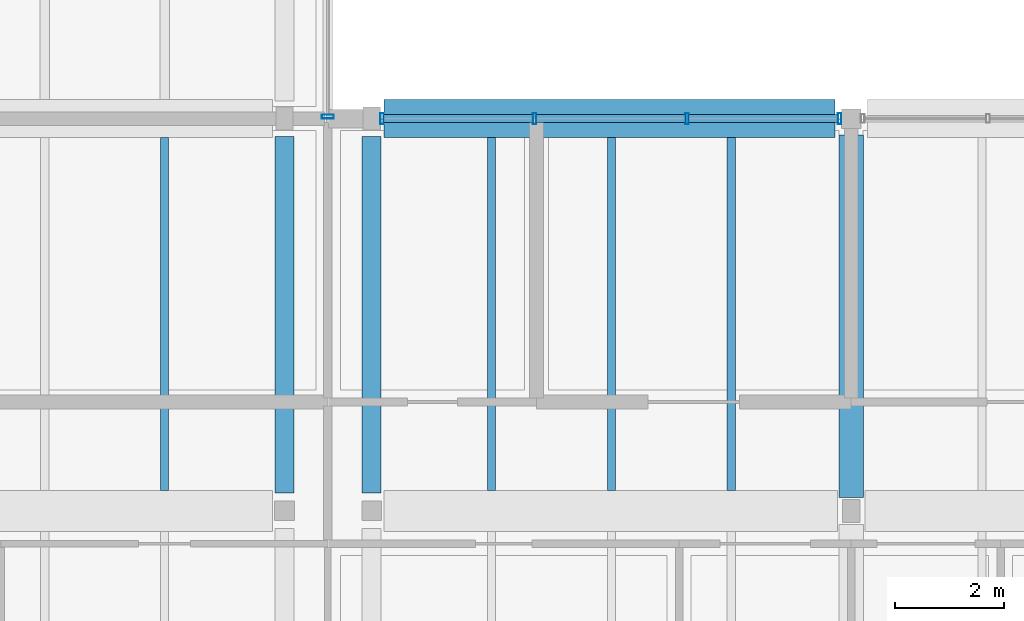
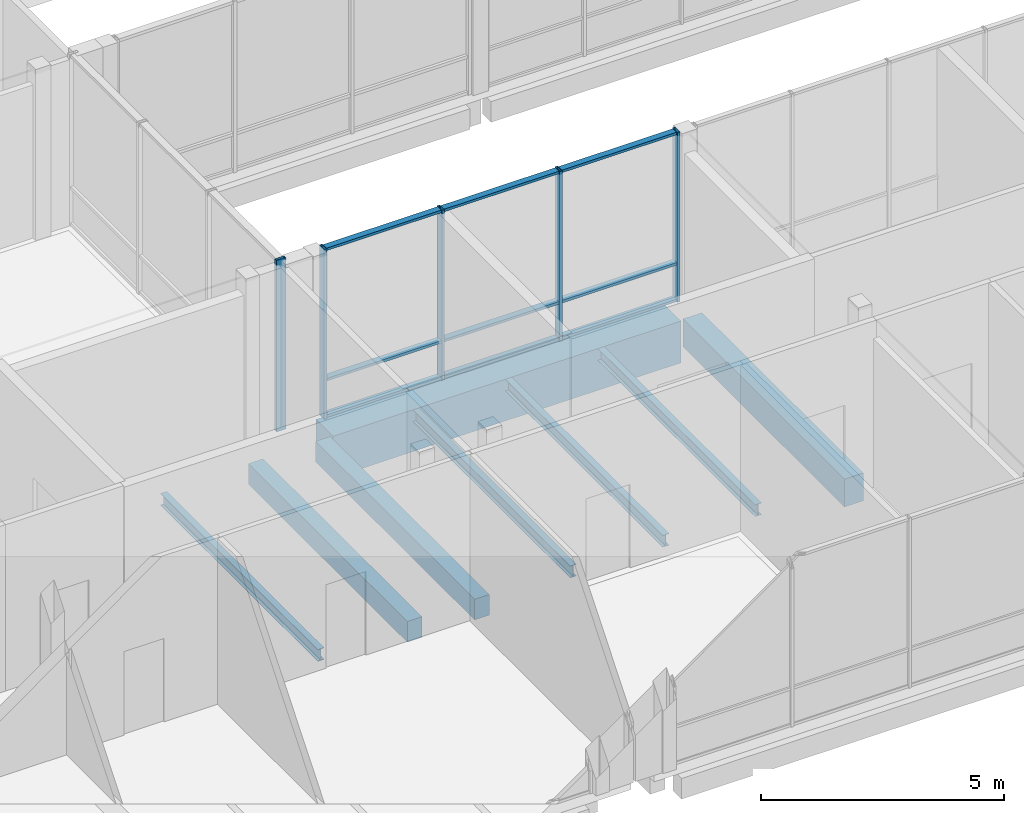
# One storey, part 58 of 146: 14 members, 8 beams, 2 elements without a shape of their own.
"""IFC4 building model written with IfcOpenShell, lengths in metres."""

from ifc_helpers import new_model, si_unit, direction, frame, origin, origin_2d, place, context, subcontext, project, spatial, rectangle, hollow_rectangle, i_section, extrude, material, material_profile, profile_set, type_object, element, aggregate, save


model = new_model("IFC4")

# Units and contexts
model_context = context("Model", 3, precision=1e-05, world=origin(), true_north=direction((0.0, 1.0)))
body_context = subcontext(model_context, "Body", "Model", "MODEL_VIEW")
ifc_project = project(units=[si_unit("LENGTHUNIT", "METRE"), si_unit("AREAUNIT", "SQUARE_METRE"), si_unit("VOLUMEUNIT", "CUBIC_METRE"), si_unit("PLANEANGLEUNIT", "RADIAN"), si_unit("MASSUNIT", "GRAM", prefix="KILO")], contexts=[model_context])

# Site, building, storey
site_placement = place(None, origin())
site = spatial("IfcSite", under=ifc_project, at=site_placement, CompositionType="ELEMENT")
building_placement = place(site_placement, origin())
building = spatial("IfcBuilding", under=site, at=building_placement, Name="Hawrajan Terrace Health Centre", CompositionType="ELEMENT")
storey_placement = place(building_placement, frame((0.0, 0.0, 4.5)))
storey = spatial("IfcBuildingStorey", under=building, at=storey_placement, Name="L01", CompositionType="ELEMENT", Elevation=4.5)

# Curtain wall, members
ifc_material_1 = material(Name="Anodized bronze aluminium and low-E solar glazing", Category="aluminium")
curtain_wall_type_1 = type_object("IfcCurtainWallType", Name="CW_Clerestory_SeriesG1", PredefinedType="USERDEFINED", material=ifc_material_1)
curtain_wall_1_placement = place(storey_placement, origin())
curtain_wall_1 = element("IfcCurtainWall", 1, at=curtain_wall_1_placement, inside=storey, type_object=curtain_wall_type_1, Name="Curtain wall CW-L01-088", ObjectType="UNITISED CURTAIN WALL", PredefinedType="USERDEFINED")
ifc_material_2 = material(Name="Anodized bronze aluminium 6063-T6", Category="aluminium")
ifc_material_profile_1 = material_profile(ifc_material_2, hollow_rectangle(XDim=0.06494140625, YDim=0.199951171875, WallThickness=0.00439453125, at=origin_2d()), Name="CW MUL 65x200")
ifc_profile_set_1 = profile_set([ifc_material_profile_1], Name="Anodized bronze aluminium 6063-T6")
member_type_1 = type_object("IfcMemberType", Name="CWMullion_65x200", PredefinedType="MULLION", material=ifc_profile_set_1)
member_1_placement = place(storey_placement, frame((72.79248046875, 18.60009765625, -0.0048828125), z_axis=(0.0, 0.0, 1.0), x_axis=(1.0, 0.0, 0.0)))
member_1 = element("IfcMember", 2, at=member_1_placement, type_object=member_type_1, Name="Mullion CW-L01-088-M1", PredefinedType="MULLION", context=body_context, shape_type="SweptSolid", body=[
    extrude(hollow_rectangle(XDim=0.06494140625, YDim=0.199951171875, WallThickness=0.00439453125, at=origin_2d()), origin(), (0.0, 0.0, 1.0), 4.269775390625),
])
member_2_placement = place(storey_placement, frame((75.5908203125, 18.60009765625, -0.0048828125), z_axis=(0.0, 0.0, 1.0), x_axis=(1.0, 0.0, 0.0)))
member_2 = element("IfcMember", 3, at=member_2_placement, type_object=member_type_1, Name="Mullion CW-L01-088-M2", PredefinedType="MULLION", context=body_context, shape_type="SweptSolid", body=[
    extrude(hollow_rectangle(XDim=0.06494140625, YDim=0.199951171875, WallThickness=0.00439453125, at=origin_2d()), origin(), (0.0, 0.0, 1.0), 4.269775390625),
])
member_3_placement = place(storey_placement, frame((78.38916015625, 18.60009765625, -0.0048828125), z_axis=(0.0, 0.0, 1.0), x_axis=(1.0, 0.0, 0.0)))
member_3 = element("IfcMember", 4, at=member_3_placement, type_object=member_type_1, Name="Mullion CW-L01-088-M3", PredefinedType="MULLION", context=body_context, shape_type="SweptSolid", body=[
    extrude(hollow_rectangle(XDim=0.06494140625, YDim=0.199951171875, WallThickness=0.00439453125, at=origin_2d()), origin(), (0.0, 0.0, 1.0), 4.269775390625),
])
member_4_placement = place(storey_placement, frame((81.1875, 18.60009765625, -0.0048828125), z_axis=(0.0, 0.0, 1.0), x_axis=(1.0, 0.0, 0.0)))
member_4 = element("IfcMember", 5, at=member_4_placement, type_object=member_type_1, Name="Mullion CW-L01-088-M4", PredefinedType="MULLION", context=body_context, shape_type="SweptSolid", body=[
    extrude(hollow_rectangle(XDim=0.06494140625, YDim=0.199951171875, WallThickness=0.00439453125, at=origin_2d()), origin(), (0.0, 0.0, 1.0), 4.269775390625),
])

# Curtain wall, member
curtain_wall_type_2 = type_object("IfcCurtainWallType", Name="CW_Hall_SeriesD2", PredefinedType="USERDEFINED", material=ifc_material_1)
curtain_wall_2_placement = place(storey_placement, origin())
curtain_wall_2 = element("IfcCurtainWall", 6, at=curtain_wall_2_placement, inside=storey, type_object=curtain_wall_type_2, Name="Curtain wall CW-L01-083", ObjectType="UNITISED CURTAIN WALL", PredefinedType="USERDEFINED")
ifc_material_profile_2 = material_profile(ifc_material_2, hollow_rectangle(XDim=0.074951171875, YDim=0.219970703125, WallThickness=0.0048828125, at=origin_2d()), Name="CW MUL 75x220")
ifc_profile_set_2 = profile_set([ifc_material_profile_2], Name="Anodized bronze aluminium 6063-T6")
member_type_2 = type_object("IfcMemberType", Name="CWMullion_75x220", PredefinedType="MULLION", material=ifc_profile_set_2)
member_5_placement = place(storey_placement, frame((71.794921875, 18.637451171875, -0.0048828125), z_axis=(0.0, 0.0, 1.0), x_axis=(0.0, 1.0, 0.0)))
member_5 = element("IfcMember", 7, at=member_5_placement, type_object=member_type_2, Name="Mullion CW-L01-083-M1", PredefinedType="MULLION", context=body_context, shape_type="SweptSolid", body=[
    extrude(hollow_rectangle(XDim=0.074951171875, YDim=0.219970703125, WallThickness=0.0048828125, at=origin_2d()), origin(), (0.0, 0.0, 1.0), 4.309814453125),
])
aggregate(curtain_wall_2, [member_5])

# Member
ifc_material_profile_3 = material_profile(ifc_material_2, hollow_rectangle(XDim=0.06494140625, YDim=0.14990234375, WallThickness=0.00390625, at=origin_2d()), Name="CW TRN 65x150")
ifc_profile_set_3 = profile_set([ifc_material_profile_3], Name="Anodized bronze aluminium 6063-T6")
member_type_3 = type_object("IfcMemberType", Name="CWTransom_65x150", PredefinedType="USERDEFINED", material=ifc_profile_set_3)
member_6_placement = place(storey_placement, frame((72.819091796875, 18.60009765625, 0.032470703125), z_axis=(1.0, 0.0, 0.0), x_axis=(0.0, 0.0, 1.0)))
member_6 = element("IfcMember", 8, at=member_6_placement, type_object=member_type_3, Name="Transom CW-L01-088-T1-1", ObjectType="TRANSOM", PredefinedType="USERDEFINED", context=body_context, shape_type="SweptSolid", body=[
    extrude(hollow_rectangle(XDim=0.06494140625, YDim=0.14990234375, WallThickness=0.00390625, at=origin_2d()), origin(), (0.0, 0.0, 1.0), 2.7451171875),
])

member_7_placement = place(storey_placement, frame((72.819091796875, 18.60009765625, 0.949951171875), z_axis=(1.0, 0.0, 0.0), x_axis=(0.0, 0.0, 1.0)))
member_7 = element("IfcMember", 9, at=member_7_placement, type_object=member_type_3, Name="Transom CW-L01-088-T1-2", ObjectType="TRANSOM", PredefinedType="USERDEFINED", context=body_context, shape_type="SweptSolid", body=[
    extrude(hollow_rectangle(XDim=0.06494140625, YDim=0.14990234375, WallThickness=0.00390625, at=origin_2d()), origin(), (0.0, 0.0, 1.0), 2.7451171875),
])

member_8_placement = place(storey_placement, frame((72.819091796875, 18.60009765625, 4.2275390625), z_axis=(1.0, 0.0, 0.0), x_axis=(0.0, 0.0, 1.0)))
member_8 = element("IfcMember", 10, at=member_8_placement, type_object=member_type_3, Name="Transom CW-L01-088-T1-3", ObjectType="TRANSOM", PredefinedType="USERDEFINED", context=body_context, shape_type="SweptSolid", body=[
    extrude(hollow_rectangle(XDim=0.06494140625, YDim=0.14990234375, WallThickness=0.00390625, at=origin_2d()), origin(), (0.0, 0.0, 1.0), 2.7451171875),
])

member_9_placement = place(storey_placement, frame((75.6171875, 18.60009765625, 0.032470703125), z_axis=(1.0, 0.0, 0.0), x_axis=(0.0, 0.0, 1.0)))
member_9 = element("IfcMember", 11, at=member_9_placement, type_object=member_type_3, Name="Transom CW-L01-088-T2-1", ObjectType="TRANSOM", PredefinedType="USERDEFINED", context=body_context, shape_type="SweptSolid", body=[
    extrude(hollow_rectangle(XDim=0.06494140625, YDim=0.14990234375, WallThickness=0.00390625, at=origin_2d()), origin(), (0.0, 0.0, 1.0), 2.74560546875),
])

member_10_placement = place(storey_placement, frame((75.6171875, 18.60009765625, 0.949951171875), z_axis=(1.0, 0.0, 0.0), x_axis=(0.0, 0.0, 1.0)))
member_10 = element("IfcMember", 12, at=member_10_placement, type_object=member_type_3, Name="Transom CW-L01-088-T2-2", ObjectType="TRANSOM", PredefinedType="USERDEFINED", context=body_context, shape_type="SweptSolid", body=[
    extrude(hollow_rectangle(XDim=0.06494140625, YDim=0.14990234375, WallThickness=0.00390625, at=origin_2d()), origin(), (0.0, 0.0, 1.0), 2.74560546875),
])

member_11_placement = place(storey_placement, frame((75.6171875, 18.60009765625, 4.2275390625), z_axis=(1.0, 0.0, 0.0), x_axis=(0.0, 0.0, 1.0)))
member_11 = element("IfcMember", 13, at=member_11_placement, type_object=member_type_3, Name="Transom CW-L01-088-T2-3", ObjectType="TRANSOM", PredefinedType="USERDEFINED", context=body_context, shape_type="SweptSolid", body=[
    extrude(hollow_rectangle(XDim=0.06494140625, YDim=0.14990234375, WallThickness=0.00390625, at=origin_2d()), origin(), (0.0, 0.0, 1.0), 2.74560546875),
])

member_12_placement = place(storey_placement, frame((78.415771484375, 18.60009765625, 0.032470703125), z_axis=(1.0, 0.0, 0.0), x_axis=(0.0, 0.0, 1.0)))
member_12 = element("IfcMember", 14, at=member_12_placement, type_object=member_type_3, Name="Transom CW-L01-088-T3-1", ObjectType="TRANSOM", PredefinedType="USERDEFINED", context=body_context, shape_type="SweptSolid", body=[
    extrude(hollow_rectangle(XDim=0.06494140625, YDim=0.14990234375, WallThickness=0.00390625, at=origin_2d()), origin(), (0.0, 0.0, 1.0), 2.7451171875),
])

member_13_placement = place(storey_placement, frame((78.415771484375, 18.60009765625, 0.949951171875), z_axis=(1.0, 0.0, 0.0), x_axis=(0.0, 0.0, 1.0)))
member_13 = element("IfcMember", 15, at=member_13_placement, type_object=member_type_3, Name="Transom CW-L01-088-T3-2", ObjectType="TRANSOM", PredefinedType="USERDEFINED", context=body_context, shape_type="SweptSolid", body=[
    extrude(hollow_rectangle(XDim=0.06494140625, YDim=0.14990234375, WallThickness=0.00390625, at=origin_2d()), origin(), (0.0, 0.0, 1.0), 2.7451171875),
])

member_14_placement = place(storey_placement, frame((78.415771484375, 18.60009765625, 4.2275390625), z_axis=(1.0, 0.0, 0.0), x_axis=(0.0, 0.0, 1.0)))
member_14 = element("IfcMember", 16, at=member_14_placement, type_object=member_type_3, Name="Transom CW-L01-088-T3-3", ObjectType="TRANSOM", PredefinedType="USERDEFINED", context=body_context, shape_type="SweptSolid", body=[
    extrude(hollow_rectangle(XDim=0.06494140625, YDim=0.14990234375, WallThickness=0.00390625, at=origin_2d()), origin(), (0.0, 0.0, 1.0), 2.7451171875),
])

aggregate(curtain_wall_1, [member_1, member_2, member_3, member_4, member_6, member_7, member_8, member_9, member_10, member_11, member_12, member_13, member_14])

# Beams
ifc_material_3 = material(Name="Concrete C40/50", Category="concrete")
ifc_material_profile_4 = material_profile(ifc_material_3, rectangle(XDim=0.449951171875, YDim=0.699951171875, at=origin_2d()), Name="RC BM 450x700")
ifc_profile_set_4 = profile_set([ifc_material_profile_4], Name="Concrete C40/50")
beam_type_1 = type_object("IfcBeamType", Name="RCGirder_450x700", PredefinedType="BEAM", material=ifc_profile_set_4)
beam_1_placement = place(storey_placement, frame((81.39990234375, 11.64990234375, -0.64990234375), z_axis=(0.0, 1.0, 0.0), x_axis=(-1.0, 0.0, 0.0)))
element("IfcBeam", 17, at=beam_1_placement, inside=storey, type_object=beam_type_1, Name="Beam BM-Y-L01-C-X11-2", PredefinedType="BEAM", context=body_context, shape_type="SweptSolid", body=[
    extrude(rectangle(XDim=0.449951171875, YDim=0.699951171875, at=origin_2d()), origin(), (0.0, 0.0, 1.0), 6.650146484375),
])
ifc_material_profile_5 = material_profile(ifc_material_3, rectangle(XDim=0.35009765625, YDim=0.52001953125, at=origin_2d()), Name="RC SP 350x520")
ifc_profile_set_5 = profile_set([ifc_material_profile_5], Name="Concrete C40/50")
beam_type_2 = type_object("IfcBeamType", Name="RCSpandrel_350x520", PredefinedType="SPANDREL", material=ifc_profile_set_5)
for number, where, z_axis, x_axis, name in (
    (18, (71.0, 11.72509765625, -0.56005859375), (0.0, 1.0, 0.0), (-1.0, 0.0, 0.0), "Beam BM-Y-L01-W-X10-2"),
    (19, (72.60009765625, 11.72509765625, -0.56005859375), (0.0, 1.0, 0.0), (-1.0, 0.0, 0.0), "Beam BM-Y-L01-C-X10-2"),
):
    element("IfcBeam", number, at=place(storey_placement, frame(where, z_axis=z_axis, x_axis=x_axis)), inside=storey, type_object=beam_type_2, Name=name, PredefinedType="SPANDREL", context=body_context, shape_type="SweptSolid", body=[
        extrude(rectangle(XDim=0.35009765625, YDim=0.52001953125, at=origin_2d()), origin(), (0.0, 0.0, 1.0), 6.5498046875),
    ])
ifc_material_profile_6 = material_profile(ifc_material_3, rectangle(XDim=0.699951171875, YDim=1.050048828125, at=origin_2d()), Name="RC TG 700x1050")
ifc_profile_set_6 = profile_set([ifc_material_profile_6], Name="Concrete C40/50")
beam_type_3 = type_object("IfcBeamType", Name="RCTransferGirder_700x1050", PredefinedType="BEAM", material=ifc_profile_set_6)
beam_2_placement = place(storey_placement, frame((72.824951171875, 18.60009765625, -0.824951171875), z_axis=(1.0, 0.0, 0.0), x_axis=(0.0, 1.0, 0.0)))
element("IfcBeam", 20, at=beam_2_placement, inside=storey, type_object=beam_type_3, Name="Beam BM-X-L01-C-10-Y3", PredefinedType="BEAM", context=body_context, shape_type="SweptSolid", body=[
    extrude(rectangle(XDim=0.699951171875, YDim=1.050048828125, at=origin_2d()), origin(), (0.0, 0.0, 1.0), 8.275146484375),
])
ifc_material_4 = material(Name="Steel S355", Category="steel")
ifc_material_profile_7 = material_profile(ifc_material_4, i_section(OverallWidth=0.14990234375, OverallDepth=0.300048828125, WebThickness=0.007080078125, FlangeThickness=0.0107421875, FilletRadius=0.014892578125, at=origin_2d()), Name="IPE 300")
ifc_profile_set_7 = profile_set([ifc_material_profile_7], Name="Steel S355")
beam_type_4 = type_object("IfcBeamType", Name="SteelBeam_IPE300", PredefinedType="JOIST", material=ifc_profile_set_7)
for number, where, z_axis, x_axis, name in (
    (21, (68.800048828125, 11.77490234375, -0.449951171875), (0.0, 1.0, 0.0), (-1.0, 0.0, 0.0), "Secondary joist JST-L01-W-09-2-3"),
    (22, (74.800048828125, 11.77490234375, -0.449951171875), (0.0, 1.0, 0.0), (-1.0, 0.0, 0.0), "Secondary joist JST-L01-C-10-2-1"),
    (23, (77.0, 11.77490234375, -0.449951171875), (0.0, 1.0, 0.0), (-1.0, 0.0, 0.0), "Secondary joist JST-L01-C-10-2-2"),
    (24, (79.199951171875, 11.77490234375, -0.449951171875), (0.0, 1.0, 0.0), (-1.0, 0.0, 0.0), "Secondary joist JST-L01-C-10-2-3"),
):
    element("IfcBeam", number, at=place(storey_placement, frame(where, z_axis=z_axis, x_axis=x_axis)), inside=storey, type_object=beam_type_4, Name=name, PredefinedType="JOIST", context=body_context, shape_type="SweptSolid", body=[
        extrude(i_section(OverallWidth=0.14990234375, OverallDepth=0.300048828125, WebThickness=0.007080078125, FlangeThickness=0.0107421875, FilletRadius=0.014892578125, at=origin_2d()), origin(), (0.0, 0.0, 1.0), 6.47509765625),
    ])

save(model, "model.ifc")
